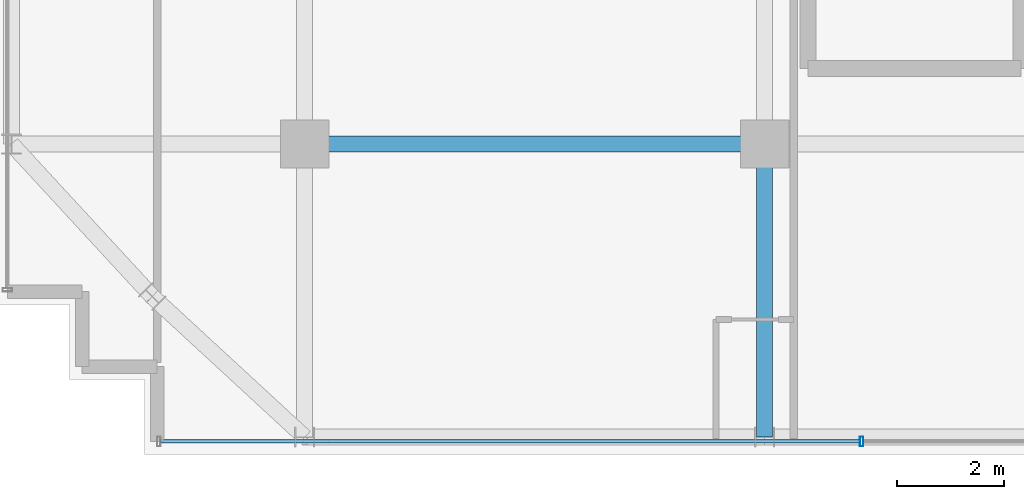
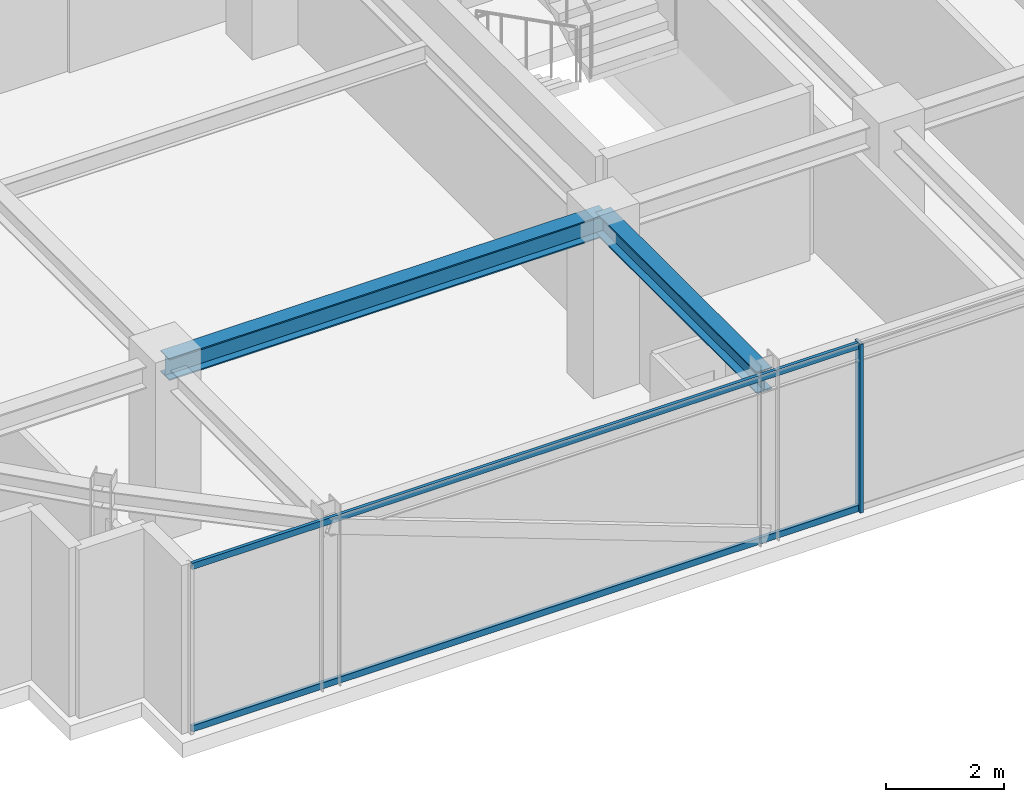
# One storey, part 5 of 31: 3 members, 2 beams, 1 element without a shape of its own.
"""IFC4 building model written with IfcOpenShell, lengths in metres."""

import ifcopenshell
import ifcopenshell.guid

model = None  # the IFC model being written
_history = None  # IfcOwnerHistory: only IFC2X3 demands one
_inside = {}  # id of a spatial element -> (the spatial element, [elements in it])
_under = {}  # id of a project, library or spatial element -> (it, [spatial elements below it])
_declared = {}  # id of a project -> (the project, [libraries it declares])
_typed = {}  # id of a type object -> (the type object, [elements of that type])
_made_of = {}  # id of a material, layer set ... -> (it, [elements and type objects made of it])


def new_model(schema):
    """Start an empty IFC model of exactly this schema.

    Asked for "IFC4X3", IfcOpenShell would pick the latest addendum, in which some entities
    have other attributes; the version numbers below select the first issue.
    IFC2X3 requires an IfcOwnerHistory on every rooted entity: one is made here for all.
    """
    global model, _history
    if schema == "IFC4X3":
        model = ifcopenshell.file(schema_version=(4, 3, 0, 0))
    else:
        model = ifcopenshell.file(schema=schema)
    _inside.clear()
    _under.clear()
    _declared.clear()
    _typed.clear()
    _made_of.clear()
    _history = None
    if model.schema == "IFC2X3":
        org = make("IfcOrganization", Name="unknown")
        user = make(
            "IfcPersonAndOrganization",
            ThePerson=make("IfcPerson", FamilyName="unknown"),
            TheOrganization=org,
        )
        app = make(
            "IfcApplication",
            ApplicationDeveloper=org,
            Version="unknown",
            ApplicationFullName="unknown",
            ApplicationIdentifier="unknown",
        )
        _history = make(
            "IfcOwnerHistory",
            OwningUser=user,
            OwningApplication=app,
            ChangeAction="ADDED",
            CreationDate=0,
        )
    return model


def make(cls, **values):
    """One entity of the class cls with the attributes given. An attribute that is None is left unset."""
    return model.create_entity(
        cls, **{name: value for name, value in values.items() if value is not None}
    )


def rooted(cls, **values):
    """An entity with a GlobalId (a new one), such as an element, a storey or a relation."""
    return make(cls, GlobalId=ifcopenshell.guid.new(), OwnerHistory=_history, **values)


def si_unit(unit_type, name, prefix=None):
    """IfcSIUnit, for example si_unit("LENGTHUNIT", "METRE", prefix="MILLI")."""
    return make("IfcSIUnit", UnitType=unit_type, Prefix=prefix, Name=name)


def assignment(units):
    """IfcUnitAssignment: the units of a project."""
    return None if units is None else make("IfcUnitAssignment", Units=units)


def point(xyz):
    """IfcCartesianPoint."""
    return None if xyz is None else make("IfcCartesianPoint", Coordinates=xyz)


def direction(xyz):
    """IfcDirection."""
    return None if xyz is None else make("IfcDirection", DirectionRatios=xyz)


def frame(location, z_axis=None, x_axis=None):
    """IfcAxis2Placement3D, a coordinate frame: its origin and axes. An axis left out is left unset."""
    return make(
        "IfcAxis2Placement3D",
        Location=point(location),
        Axis=direction(z_axis),
        RefDirection=direction(x_axis),
    )


def frame_2d(location, x_axis=None):
    """IfcAxis2Placement2D, a coordinate frame in the plane: its origin and x axis."""
    return make(
        "IfcAxis2Placement2D", Location=point(location), RefDirection=direction(x_axis)
    )


def origin():
    """The frame at (0, 0, 0) with its axes left unset."""
    return frame((0.0, 0.0, 0.0))


def origin_2d():
    """The frame at (0, 0) in the plane with its x axis left unset."""
    return frame_2d((0.0, 0.0))


def place(relative_to, where):
    """IfcLocalPlacement: puts the frame where relative to a parent placement (None: the world)."""
    return make(
        "IfcLocalPlacement", PlacementRelTo=relative_to, RelativePlacement=where
    )


def context(
    kind, dimensions, precision=None, world=None, true_north=None, identifier=None
):
    """IfcGeometricRepresentationContext, for example the 3D "Model" context."""
    return make(
        "IfcGeometricRepresentationContext",
        ContextIdentifier=identifier,
        ContextType=kind,
        CoordinateSpaceDimension=dimensions,
        Precision=precision,
        WorldCoordinateSystem=world,
        TrueNorth=true_north,
    )


def subcontext(parent, identifier, kind, view, scale=None):
    """IfcGeometricRepresentationSubContext, for example "Body" below "Model"."""
    return make(
        "IfcGeometricRepresentationSubContext",
        ContextIdentifier=identifier,
        ContextType=kind,
        ParentContext=parent,
        TargetScale=scale,
        TargetView=view,
    )


def project(units=None, contexts=None):
    """IfcProject with its units and contexts."""
    return rooted(
        "IfcProject",
        Name="project",
        RepresentationContexts=contexts,
        UnitsInContext=assignment(units),
    )


def spatial(cls, under=None, at=None, **own):
    """A site, building, storey or space (cls), placed at a placement, below another one or the project."""
    s = rooted(cls, ObjectPlacement=at, **own)
    if under is not None:
        _under.setdefault(under.id(), (under, []))[1].append(s)
    return s


def profile(cls, at=None, kind="AREA", **sizes):
    """A parametric profile (cls). Its sizes go by their IFC names, for example OverallWidth=200.0."""
    return make(cls, ProfileType=kind, Position=at, **sizes)


def hollow_rectangle(**sizes):
    """IfcRectangleHollowProfileDef."""
    return profile("IfcRectangleHollowProfileDef", **sizes)


def i_section(**sizes):
    """IfcIShapeProfileDef."""
    return profile("IfcIShapeProfileDef", **sizes)


def extrude(swept, where, along, depth):
    """IfcExtrudedAreaSolid: the profile swept, set in the frame where, extruded along a direction by depth."""
    return make(
        "IfcExtrudedAreaSolid",
        SweptArea=swept,
        Position=where,
        ExtrudedDirection=direction(along),
        Depth=depth,
    )


def shape(context_of_items, identifier, shape_type, items):
    """IfcShapeRepresentation: the items that make up one representation, for example the "Body"."""
    return make(
        "IfcShapeRepresentation",
        ContextOfItems=context_of_items,
        RepresentationIdentifier=identifier,
        RepresentationType=shape_type,
        Items=items,
    )


def source(mapping_origin, context_of_items, identifier, shape_type, items):
    """IfcRepresentationMap: a shape defined once, which mapped items show again and again."""
    return make(
        "IfcRepresentationMap",
        MappingOrigin=mapping_origin,
        MappedRepresentation=shape(context_of_items, identifier, shape_type, items),
    )


def transform(
    local_origin,
    x_axis=None,
    y_axis=None,
    z_axis=None,
    scale=None,
    scale2=None,
    scale3=None,
    uniform=True,
):
    """IfcCartesianTransformationOperator3D, or its non-uniform kind. x_axis, y_axis, z_axis: its Axis1, 2, 3."""
    if uniform:
        return make(
            "IfcCartesianTransformationOperator3D",
            Axis1=direction(x_axis),
            Axis2=direction(y_axis),
            LocalOrigin=point(local_origin),
            Scale=scale,
            Axis3=direction(z_axis),
        )
    return make(
        "IfcCartesianTransformationOperator3DnonUniform",
        Axis1=direction(x_axis),
        Axis2=direction(y_axis),
        LocalOrigin=point(local_origin),
        Scale=scale,
        Axis3=direction(z_axis),
        Scale2=scale2,
        Scale3=scale3,
    )


def mapped(mapping_source, mapping_target):
    """IfcMappedItem: shows the shape of a source again, moved by a transform."""
    return make(
        "IfcMappedItem", MappingSource=mapping_source, MappingTarget=mapping_target
    )


def material(Name=None, Category=None):
    """IfcMaterial."""
    return make("IfcMaterial", Name=Name, Category=Category)


def material_profile(
    of_material, cross_section, Name=None, Category=None, Priority=None
):
    """IfcMaterialProfile: a cross section and its material."""
    return make(
        "IfcMaterialProfile",
        Name=Name,
        Material=of_material,
        Profile=cross_section,
        Priority=Priority,
        Category=Category,
    )


def profile_set(profiles, Name=None, composite=None):
    """IfcMaterialProfileSet."""
    return make(
        "IfcMaterialProfileSet",
        Name=Name,
        MaterialProfiles=profiles,
        CompositeProfile=composite,
    )


def made_of(thing, what):
    """Note that an element or type object is made of a material, layer set ...; save() writes the relation."""
    if what is not None:
        _made_of.setdefault(what.id(), (what, []))[1].append(thing)
    return thing


def type_object(cls, material=None, **own):
    """A type object (cls), such as IfcWallType, which elements share."""
    return made_of(rooted(cls, **own), material)


def element(
    cls,
    number,
    at=None,
    inside=None,
    cuts=None,
    type_object=None,
    material=None,
    context=None,
    identifier="Body",
    shape_type=None,
    held_by="IfcProductDefinitionShape",
    body=None,
    shapes=None,
    **own,
):
    """One element of the class cls, such as IfcWall. Its Tag is "e" and its number.

    at: its placement. inside: the storey or other place that contains it. cuts: it is an
    opening in that element (IfcRelVoidsElement). A single representation is given by context,
    identifier, shape_type and body (its items); several are given by shapes. held_by: the class
    of the entity that holds the representations. save() writes the other relations.
    """
    e = rooted(cls, Tag="e%d" % number, ObjectPlacement=at, **own)
    if body is not None:
        shapes = [shape(context, identifier, shape_type, body)]
    if shapes is not None:
        e.Representation = make(held_by, Representations=shapes)
    if inside is not None:
        _inside.setdefault(inside.id(), (inside, []))[1].append(e)
    if cuts is not None:
        rooted(
            "IfcRelVoidsElement", RelatingBuildingElement=cuts, RelatedOpeningElement=e
        )
    if type_object is not None:
        _typed.setdefault(type_object.id(), (type_object, []))[1].append(e)
    return made_of(e, material)


def aggregate(whole, parts):
    """IfcRelAggregates: a whole, such as a stair, and the parts it consists of."""
    return rooted("IfcRelAggregates", RelatingObject=whole, RelatedObjects=parts)


def save(model, path):
    """Write the relations noted so far, then the file.

    IfcRelAggregates (storeys below a building ...), IfcRelContainedInSpatialStructure (elements
    in a storey), IfcRelDefinesByType, IfcRelAssociatesMaterial and IfcRelDeclares: one each for
    every whole, place, type object, material and project.
    """
    for whole, parts in _under.values():
        aggregate(whole, parts)
    for where, things in _inside.values():
        rooted(
            "IfcRelContainedInSpatialStructure",
            RelatedElements=things,
            RelatingStructure=where,
        )
    for kind, things in _typed.values():
        rooted("IfcRelDefinesByType", RelatedObjects=things, RelatingType=kind)
    for what, things in _made_of.values():
        rooted("IfcRelAssociatesMaterial", RelatedObjects=things, RelatingMaterial=what)
    for by, libraries in _declared.values():
        rooted("IfcRelDeclares", RelatingContext=by, RelatedDefinitions=libraries)
    model.write(path)


model = new_model("IFC4")

# Units and contexts
model_context = context("Model", 3, precision=1e-05, world=origin(), true_north=direction((0.0, 1.0)))
body_context = subcontext(model_context, "Body", "Model", "MODEL_VIEW")
ifc_project = project(units=[si_unit("LENGTHUNIT", "METRE"), si_unit("AREAUNIT", "SQUARE_METRE"), si_unit("VOLUMEUNIT", "CUBIC_METRE"), si_unit("PLANEANGLEUNIT", "RADIAN"), si_unit("MASSUNIT", "GRAM", prefix="KILO")], contexts=[model_context])

# Site, building, storey
site_placement = place(None, origin())
site = spatial("IfcSite", under=ifc_project, at=site_placement, CompositionType="ELEMENT")
building_placement = place(site_placement, origin())
building = spatial("IfcBuilding", under=site, at=building_placement, Name="Nahalor Promenade Grand Hotel", CompositionType="ELEMENT")
storey_placement = place(building_placement, frame((0.0, 0.0, 327.14990234375)))
storey = spatial("IfcBuildingStorey", under=building, at=storey_placement, Name="L84", CompositionType="ELEMENT", Elevation=327.14990234375)

# Beams
ifc_material_1 = material(Name="Steel S355JR", Category="steel")
ifc_material_profile_1 = material_profile(ifc_material_1, i_section(OverallWidth=0.3, OverallDepth=0.45, WebThickness=0.014, FlangeThickness=0.026, at=origin_2d()), Name="HEB 450")
ifc_profile_set_1 = profile_set([ifc_material_profile_1], Name="Steel S355JR")
beam_type = type_object("IfcBeamType", Name="Beam-Girder-HEB450", PredefinedType="BEAM", material=ifc_profile_set_1)
shared_shape_1 = source(origin(), body_context, "Body", "SweptSolid", [
    extrude(i_section(OverallWidth=0.3, OverallDepth=0.45, WebThickness=0.014, FlangeThickness=0.026, at=origin_2d()), origin(), (0.0, 0.0, 1.0), 8.60009765625),
])
beam_1_placement = place(storey_placement, frame((-17.0, -17.0, 3.275146484375), z_axis=(1.0, 0.0, 0.0), x_axis=(0.0, 1.0, 0.0)))
element("IfcBeam", 1, at=beam_1_placement, inside=storey, type_object=beam_type, Name="BM-L84-GX-0-1", PredefinedType="BEAM", context=body_context, shape_type="MappedRepresentation", body=[
    mapped(shared_shape_1, transform((0.0, 0.0, 0.0), scale=1.0)),
])
shared_shape_2 = source(origin(), body_context, "Body", "SweptSolid", [
    extrude(i_section(OverallWidth=0.3, OverallDepth=0.45, WebThickness=0.014, FlangeThickness=0.026, at=origin_2d()), origin(), (0.0, 0.0, 1.0), 5.47998046875),
])
beam_2_placement = place(storey_placement, frame((-8.39990234375, -22.47998046875, 3.275146484375), z_axis=(0.0, 1.0, 0.0), x_axis=(-1.0, 0.0, 0.0)))
element("IfcBeam", 2, at=beam_2_placement, inside=storey, type_object=beam_type, Name="BM-L84-GY-1-0", PredefinedType="BEAM", context=body_context, shape_type="MappedRepresentation", body=[
    mapped(shared_shape_2, transform((0.0, 0.0, 0.0), scale=1.0)),
])

# Curtain wall, members
ifc_material_2 = material(Name="Anodised Bronze Aluminium EN AW-6063 T6", Category="aluminium")
curtain_wall_type = type_object("IfcCurtainWallType", Name="CW2 Typical Hotel Flush Bronze Unitised Curtain Wall", PredefinedType="USERDEFINED", material=ifc_material_2)
curtain_wall_placement = place(storey_placement, origin())
curtain_wall = element("IfcCurtainWall", 3, at=curtain_wall_placement, inside=storey, type_object=curtain_wall_type, Name="L84 Curtain Wall CW-L84-S-1", ObjectType="UNITISED_CURTAIN_WALL", PredefinedType="USERDEFINED")
ifc_material_profile_2 = material_profile(ifc_material_2, hollow_rectangle(XDim=0.065, YDim=0.13, WallThickness=0.004, at=origin_2d()), Name="CWT 65x130x4")
ifc_profile_set_2 = profile_set([ifc_material_profile_2], Name="Anodised Bronze Aluminium EN AW-6063 T6")
member_type_1 = type_object("IfcMemberType", Name="CWT2 Typical Bronze Transom 65x130", PredefinedType="USERDEFINED", material=ifc_profile_set_2)
shared_shape_3 = source(origin(), body_context, "Body", "SweptSolid", [
    extrude(hollow_rectangle(XDim=0.065, YDim=0.13, WallThickness=0.004, at=origin_2d()), origin(), (0.0, 0.0, 1.0), 13.075927734375),
])
member_1_placement = place(storey_placement, frame((-19.695068359375, -22.56005859375, 0.065185546875), z_axis=(1.0, 0.0, 0.0), x_axis=(0.0, 1.0, 0.0)))
member_1 = element("IfcMember", 4, at=member_1_placement, type_object=member_type_1, Name="CW-L84-S-1 Transom 0-0", ObjectType="TRANSOM", PredefinedType="USERDEFINED", context=body_context, shape_type="MappedRepresentation", body=[
    mapped(shared_shape_3, transform((0.0, 0.0, 0.0), scale=1.0)),
])
member_2_placement = place(storey_placement, frame((-19.695068359375, -22.56005859375, 3.43505859375), z_axis=(1.0, 0.0, 0.0), x_axis=(0.0, 1.0, 0.0)))
member_2 = element("IfcMember", 5, at=member_2_placement, type_object=member_type_1, Name="CW-L84-S-1 Transom 0-1", ObjectType="TRANSOM", PredefinedType="USERDEFINED", context=body_context, shape_type="MappedRepresentation", body=[
    mapped(shared_shape_3, transform((0.0, 0.0, 0.0), scale=1.0)),
])
ifc_material_profile_3 = material_profile(ifc_material_2, hollow_rectangle(XDim=0.065, YDim=0.18, WallThickness=0.004, at=origin_2d()), Name="CWM 65x180x4")
ifc_profile_set_3 = profile_set([ifc_material_profile_3], Name="Anodised Bronze Aluminium EN AW-6063 T6")
member_type_2 = type_object("IfcMemberType", Name="CWM2 Typical Bronze Mullion 65x180", PredefinedType="MULLION", material=ifc_profile_set_3)
shared_shape_4 = source(origin(), body_context, "Body", "SweptSolid", [
    extrude(hollow_rectangle(XDim=0.065, YDim=0.18, WallThickness=0.004, at=origin_2d()), origin(), (0.0, 0.0, 1.0), 3.5),
])
member_3_placement = place(storey_placement, frame((-6.586669921875, -22.56005859375, 0.0), z_axis=(0.0, 0.0, 1.0), x_axis=(1.0, 0.0, 0.0)))
member_3 = element("IfcMember", 6, at=member_3_placement, type_object=member_type_2, Name="CW-L84-S-1 Mullion 1", PredefinedType="MULLION", context=body_context, shape_type="MappedRepresentation", body=[
    mapped(shared_shape_4, transform((0.0, 0.0, 0.0), scale=1.0)),
])
aggregate(curtain_wall, [member_3, member_1, member_2])

save(model, "model.ifc")
